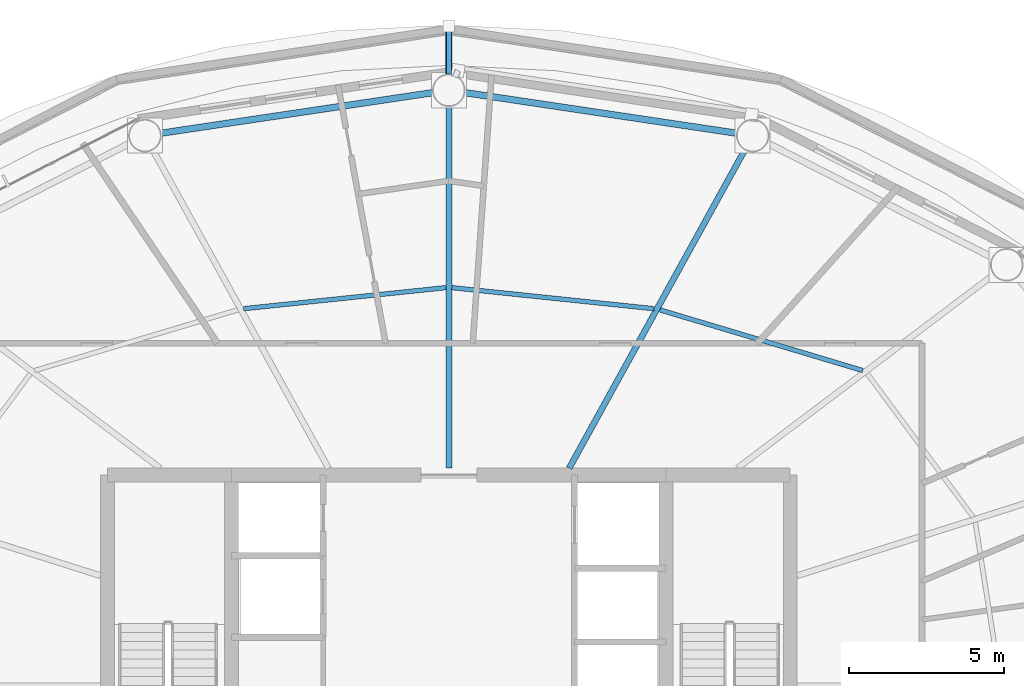
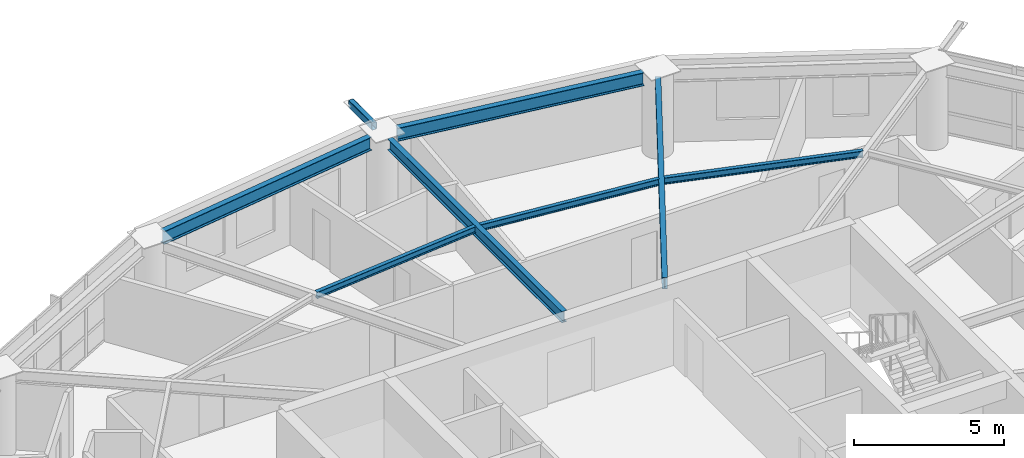
# One storey, part 10 of 22: 7 beams, 1 member.
"""IFC4 building model written with IfcOpenShell, lengths in metres."""

import ifcopenshell
import ifcopenshell.guid

model = None  # the IFC model being written
_history = None  # IfcOwnerHistory: only IFC2X3 demands one
_inside = {}  # id of a spatial element -> (the spatial element, [elements in it])
_under = {}  # id of a project, library or spatial element -> (it, [spatial elements below it])
_declared = {}  # id of a project -> (the project, [libraries it declares])
_typed = {}  # id of a type object -> (the type object, [elements of that type])
_made_of = {}  # id of a material, layer set ... -> (it, [elements and type objects made of it])


def new_model(schema):
    """Start an empty IFC model of exactly this schema.

    Asked for "IFC4X3", IfcOpenShell would pick the latest addendum, in which some entities
    have other attributes; the version numbers below select the first issue.
    IFC2X3 requires an IfcOwnerHistory on every rooted entity: one is made here for all.
    """
    global model, _history
    if schema == "IFC4X3":
        model = ifcopenshell.file(schema_version=(4, 3, 0, 0))
    else:
        model = ifcopenshell.file(schema=schema)
    _inside.clear()
    _under.clear()
    _declared.clear()
    _typed.clear()
    _made_of.clear()
    _history = None
    if model.schema == "IFC2X3":
        org = make("IfcOrganization", Name="unknown")
        user = make(
            "IfcPersonAndOrganization",
            ThePerson=make("IfcPerson", FamilyName="unknown"),
            TheOrganization=org,
        )
        app = make(
            "IfcApplication",
            ApplicationDeveloper=org,
            Version="unknown",
            ApplicationFullName="unknown",
            ApplicationIdentifier="unknown",
        )
        _history = make(
            "IfcOwnerHistory",
            OwningUser=user,
            OwningApplication=app,
            ChangeAction="ADDED",
            CreationDate=0,
        )
    return model


def make(cls, **values):
    """One entity of the class cls with the attributes given. An attribute that is None is left unset."""
    return model.create_entity(
        cls, **{name: value for name, value in values.items() if value is not None}
    )


def rooted(cls, **values):
    """An entity with a GlobalId (a new one), such as an element, a storey or a relation."""
    return make(cls, GlobalId=ifcopenshell.guid.new(), OwnerHistory=_history, **values)


def si_unit(unit_type, name, prefix=None):
    """IfcSIUnit, for example si_unit("LENGTHUNIT", "METRE", prefix="MILLI")."""
    return make("IfcSIUnit", UnitType=unit_type, Prefix=prefix, Name=name)


def assignment(units):
    """IfcUnitAssignment: the units of a project."""
    return None if units is None else make("IfcUnitAssignment", Units=units)


def point(xyz):
    """IfcCartesianPoint."""
    return None if xyz is None else make("IfcCartesianPoint", Coordinates=xyz)


def direction(xyz):
    """IfcDirection."""
    return None if xyz is None else make("IfcDirection", DirectionRatios=xyz)


def frame(location, z_axis=None, x_axis=None):
    """IfcAxis2Placement3D, a coordinate frame: its origin and axes. An axis left out is left unset."""
    return make(
        "IfcAxis2Placement3D",
        Location=point(location),
        Axis=direction(z_axis),
        RefDirection=direction(x_axis),
    )


def frame_2d(location, x_axis=None):
    """IfcAxis2Placement2D, a coordinate frame in the plane: its origin and x axis."""
    return make(
        "IfcAxis2Placement2D", Location=point(location), RefDirection=direction(x_axis)
    )


def origin():
    """The frame at (0, 0, 0) with its axes left unset."""
    return frame((0.0, 0.0, 0.0))


def origin_2d():
    """The frame at (0, 0) in the plane with its x axis left unset."""
    return frame_2d((0.0, 0.0))


def place(relative_to, where):
    """IfcLocalPlacement: puts the frame where relative to a parent placement (None: the world)."""
    return make(
        "IfcLocalPlacement", PlacementRelTo=relative_to, RelativePlacement=where
    )


def context(
    kind, dimensions, precision=None, world=None, true_north=None, identifier=None
):
    """IfcGeometricRepresentationContext, for example the 3D "Model" context."""
    return make(
        "IfcGeometricRepresentationContext",
        ContextIdentifier=identifier,
        ContextType=kind,
        CoordinateSpaceDimension=dimensions,
        Precision=precision,
        WorldCoordinateSystem=world,
        TrueNorth=true_north,
    )


def subcontext(parent, identifier, kind, view, scale=None):
    """IfcGeometricRepresentationSubContext, for example "Body" below "Model"."""
    return make(
        "IfcGeometricRepresentationSubContext",
        ContextIdentifier=identifier,
        ContextType=kind,
        ParentContext=parent,
        TargetScale=scale,
        TargetView=view,
    )


def project(units=None, contexts=None):
    """IfcProject with its units and contexts."""
    return rooted(
        "IfcProject",
        Name="project",
        RepresentationContexts=contexts,
        UnitsInContext=assignment(units),
    )


def spatial(cls, under=None, at=None, **own):
    """A site, building, storey or space (cls), placed at a placement, below another one or the project."""
    s = rooted(cls, ObjectPlacement=at, **own)
    if under is not None:
        _under.setdefault(under.id(), (under, []))[1].append(s)
    return s


def profile(cls, at=None, kind="AREA", **sizes):
    """A parametric profile (cls). Its sizes go by their IFC names, for example OverallWidth=200.0."""
    return make(cls, ProfileType=kind, Position=at, **sizes)


def hollow_rectangle(**sizes):
    """IfcRectangleHollowProfileDef."""
    return profile("IfcRectangleHollowProfileDef", **sizes)


def i_section(**sizes):
    """IfcIShapeProfileDef."""
    return profile("IfcIShapeProfileDef", **sizes)


def extrude(swept, where, along, depth):
    """IfcExtrudedAreaSolid: the profile swept, set in the frame where, extruded along a direction by depth."""
    return make(
        "IfcExtrudedAreaSolid",
        SweptArea=swept,
        Position=where,
        ExtrudedDirection=direction(along),
        Depth=depth,
    )


def shape(context_of_items, identifier, shape_type, items):
    """IfcShapeRepresentation: the items that make up one representation, for example the "Body"."""
    return make(
        "IfcShapeRepresentation",
        ContextOfItems=context_of_items,
        RepresentationIdentifier=identifier,
        RepresentationType=shape_type,
        Items=items,
    )


def material(Name=None, Category=None):
    """IfcMaterial."""
    return make("IfcMaterial", Name=Name, Category=Category)


def material_profile(
    of_material, cross_section, Name=None, Category=None, Priority=None
):
    """IfcMaterialProfile: a cross section and its material."""
    return make(
        "IfcMaterialProfile",
        Name=Name,
        Material=of_material,
        Profile=cross_section,
        Priority=Priority,
        Category=Category,
    )


def profile_set(profiles, Name=None, composite=None):
    """IfcMaterialProfileSet."""
    return make(
        "IfcMaterialProfileSet",
        Name=Name,
        MaterialProfiles=profiles,
        CompositeProfile=composite,
    )


def made_of(thing, what):
    """Note that an element or type object is made of a material, layer set ...; save() writes the relation."""
    if what is not None:
        _made_of.setdefault(what.id(), (what, []))[1].append(thing)
    return thing


def type_object(cls, material=None, **own):
    """A type object (cls), such as IfcWallType, which elements share."""
    return made_of(rooted(cls, **own), material)


def element(
    cls,
    number,
    at=None,
    inside=None,
    cuts=None,
    type_object=None,
    material=None,
    context=None,
    identifier="Body",
    shape_type=None,
    held_by="IfcProductDefinitionShape",
    body=None,
    shapes=None,
    **own,
):
    """One element of the class cls, such as IfcWall. Its Tag is "e" and its number.

    at: its placement. inside: the storey or other place that contains it. cuts: it is an
    opening in that element (IfcRelVoidsElement). A single representation is given by context,
    identifier, shape_type and body (its items); several are given by shapes. held_by: the class
    of the entity that holds the representations. save() writes the other relations.
    """
    e = rooted(cls, Tag="e%d" % number, ObjectPlacement=at, **own)
    if body is not None:
        shapes = [shape(context, identifier, shape_type, body)]
    if shapes is not None:
        e.Representation = make(held_by, Representations=shapes)
    if inside is not None:
        _inside.setdefault(inside.id(), (inside, []))[1].append(e)
    if cuts is not None:
        rooted(
            "IfcRelVoidsElement", RelatingBuildingElement=cuts, RelatedOpeningElement=e
        )
    if type_object is not None:
        _typed.setdefault(type_object.id(), (type_object, []))[1].append(e)
    return made_of(e, material)


def aggregate(whole, parts):
    """IfcRelAggregates: a whole, such as a stair, and the parts it consists of."""
    return rooted("IfcRelAggregates", RelatingObject=whole, RelatedObjects=parts)


def save(model, path):
    """Write the relations noted so far, then the file.

    IfcRelAggregates (storeys below a building ...), IfcRelContainedInSpatialStructure (elements
    in a storey), IfcRelDefinesByType, IfcRelAssociatesMaterial and IfcRelDeclares: one each for
    every whole, place, type object, material and project.
    """
    for whole, parts in _under.values():
        aggregate(whole, parts)
    for where, things in _inside.values():
        rooted(
            "IfcRelContainedInSpatialStructure",
            RelatedElements=things,
            RelatingStructure=where,
        )
    for kind, things in _typed.values():
        rooted("IfcRelDefinesByType", RelatedObjects=things, RelatingType=kind)
    for what, things in _made_of.values():
        rooted("IfcRelAssociatesMaterial", RelatedObjects=things, RelatingMaterial=what)
    for by, libraries in _declared.values():
        rooted("IfcRelDeclares", RelatingContext=by, RelatedDefinitions=libraries)
    model.write(path)


model = new_model("IFC4")

# Units and contexts
model_context = context("Model", 3, precision=1e-05, world=origin(), true_north=direction((0.0, 1.0)))
body_context = subcontext(model_context, "Body", "Model", "MODEL_VIEW")
ifc_project = project(units=[si_unit("LENGTHUNIT", "METRE"), si_unit("AREAUNIT", "SQUARE_METRE"), si_unit("VOLUMEUNIT", "CUBIC_METRE"), si_unit("PLANEANGLEUNIT", "RADIAN"), si_unit("MASSUNIT", "GRAM", prefix="KILO")], contexts=[model_context])

# Site, building, storey
site_placement = place(None, origin())
site = spatial("IfcSite", under=ifc_project, at=site_placement, CompositionType="ELEMENT")
building_placement = place(site_placement, origin())
building = spatial("IfcBuilding", under=site, at=building_placement, Name="Sarneth Arch Tower", CompositionType="ELEMENT")
storey_placement = place(building_placement, frame((0.0, 0.0, 206.39990234375)))
storey = spatial("IfcBuildingStorey", under=building, at=storey_placement, Name="L52", CompositionType="ELEMENT", Elevation=206.39990234375)

# Beams
ifc_material_1 = material(Name="Steel S355", Category="steel")
ifc_material_profile_1 = material_profile(ifc_material_1, i_section(OverallWidth=0.14794921875, OverallDepth=0.26611328125, WebThickness=0.007568359375, FlangeThickness=0.012939453125, FilletRadius=0.012939453125, at=origin_2d()), Name="W250x44.8")
ifc_profile_set_1 = profile_set([ifc_material_profile_1], Name="Steel S355")
beam_type_1 = type_object("IfcBeamType", Name="BM-JOIST-250", PredefinedType="JOIST", material=ifc_profile_set_1)
beam_1_placement = place(storey_placement, frame((61.336669921875, 52.169921875, 3.22705078125), z_axis=(-0.958092748216, 0.286458174636, 0.0), x_axis=(-0.286458174636, -0.958092748216, 0.0)))
element("IfcBeam", 1, at=beam_1_placement, inside=storey, type_object=beam_type_1, Name="L52 Secondary floor joist 03", PredefinedType="JOIST", context=body_context, shape_type="SweptSolid", body=[
    extrude(i_section(OverallWidth=0.14794921875, OverallDepth=0.26611328125, WebThickness=0.007568359375, FlangeThickness=0.012939453125, FilletRadius=0.012939453125, at=origin_2d()), origin(), (0.0, 0.0, 1.0), 6.8232421875),
])
for number, where, z_axis, x_axis, name in (
    (2, (54.61181640625, 54.161865234375, 3.22705078125), (-0.994627285361, 0.103520834691, 0.0), (-0.103520834691, -0.994627285361, 0.0), "L52 Secondary floor joist 04"),
    (3, (47.904541015625, 54.840087890625, 3.22705078125), (-0.994627285361, -0.103520834691, 0.0), (0.103520834691, -0.994627285361, 0.0), "L52 Secondary floor joist 05"),
):
    element("IfcBeam", number, at=place(storey_placement, frame(where, z_axis=z_axis, x_axis=x_axis)), inside=storey, type_object=beam_type_1, Name=name, PredefinedType="JOIST", context=body_context, shape_type="SweptSolid", body=[
        extrude(i_section(OverallWidth=0.14794921875, OverallDepth=0.26611328125, WebThickness=0.007568359375, FlangeThickness=0.012939453125, FilletRadius=0.012939453125, at=origin_2d()), origin(), (0.0, 0.0, 1.0), 6.551513671875),
    ])
ifc_material_2 = material(Name="Steel S355", Category="steel")
ifc_material_profile_2 = material_profile(ifc_material_2, i_section(OverallWidth=0.19189453125, OverallDepth=0.462890625, WebThickness=0.010498046875, FlangeThickness=0.017578125, FilletRadius=0.01806640625, at=origin_2d()), Name="W460x89")
ifc_profile_set_2 = profile_set([ifc_material_profile_2], Name="Steel S355")
beam_type_2 = type_object("IfcBeamType", Name="BM-RAD-460B", PredefinedType="BEAM", material=ifc_profile_set_2)
beam_2_placement = place(storey_placement, frame((51.87744140625, 49.02490234375, 3.128662109375), z_axis=(0.483230528767, 0.875493150212, 0.0), x_axis=(-0.875493150212, 0.483230528767, 0.0)))
element("IfcBeam", 4, at=beam_2_placement, inside=storey, type_object=beam_type_2, Name="L52 Radial floor girder 04", PredefinedType="BEAM", context=body_context, shape_type="SweptSolid", body=[
    extrude(i_section(OverallWidth=0.19189453125, OverallDepth=0.462890625, WebThickness=0.010498046875, FlangeThickness=0.017578125, FilletRadius=0.01806640625, at=origin_2d()), origin(), (0.0, 0.0, 1.0), 11.712158203125),
])
beam_3_placement = place(storey_placement, frame((48.0, 49.02490234375, 3.128662109375), z_axis=(0.0, 1.0, 0.0), x_axis=(-1.0, 0.0, 0.0)))
element("IfcBeam", 5, at=beam_3_placement, inside=storey, type_object=beam_type_2, Name="L52 Radial floor girder 05", PredefinedType="BEAM", context=body_context, shape_type="SweptSolid", body=[
    extrude(i_section(OverallWidth=0.19189453125, OverallDepth=0.462890625, WebThickness=0.010498046875, FlangeThickness=0.017578125, FilletRadius=0.01806640625, at=origin_2d()), origin(), (0.0, 0.0, 1.0), 11.650146484375),
])
ifc_material_3 = material(Name="Steel S355", Category="steel")
ifc_material_profile_3 = material_profile(ifc_material_3, i_section(OverallWidth=0.2109375, OverallDepth=0.5390625, WebThickness=0.01171875, FlangeThickness=0.018798828125, FilletRadius=0.01806640625, at=origin_2d()), Name="W530x109")
ifc_profile_set_3 = profile_set([ifc_material_profile_3], Name="Steel S355")
beam_type_3 = type_object("IfcBeamType", Name="BM-RAD-530B", PredefinedType="BEAM", material=ifc_profile_set_3)
for number, where, z_axis, x_axis, name in (
    (6, (57.271484375, 59.81591796875, 3.090576171875), (-0.989038715098, 0.147656425652, 0.0), (-0.147656425652, -0.989038715098, 0.0), "L52 Perimeter spandrel beam 04"),
    (7, (47.480712890625, 61.12255859375, 3.090576171875), (-0.989038715098, -0.147656425652, 0.0), (0.147656425652, -0.989038715098, 0.0), "L52 Perimeter spandrel beam 05"),
):
    element("IfcBeam", number, at=place(storey_placement, frame(where, z_axis=z_axis, x_axis=x_axis)), inside=storey, type_object=beam_type_3, Name=name, PredefinedType="BEAM", context=body_context, shape_type="SweptSolid", body=[
        extrude(i_section(OverallWidth=0.2109375, OverallDepth=0.5390625, WebThickness=0.01171875, FlangeThickness=0.018798828125, FilletRadius=0.01806640625, at=origin_2d()), origin(), (0.0, 0.0, 1.0), 8.84912109375),
    ])

# Member
ifc_material_4 = material(Name="Steel S355", Category="steel")
ifc_material_profile_4 = material_profile(ifc_material_4, hollow_rectangle(XDim=0.199951171875, YDim=0.300048828125, WallThickness=0.012451171875, InnerFilletRadius=0.018798828125, OuterFilletRadius=0.03125, at=origin_2d()), Name="RHS300x200x12.5")
ifc_profile_set_4 = profile_set([ifc_material_profile_4], Name="Steel S355")
member_type = type_object("IfcMemberType", Name="MEM-CANT-STRUT", PredefinedType="STRUT", material=ifc_profile_set_4)
member_placement = place(storey_placement, frame((48.0, 61.72509765625, 3.2001953125), z_axis=(0.0, 1.0, 0.0), x_axis=(-1.0, 0.0, 0.0)))
element("IfcMember", 8, at=member_placement, inside=storey, type_object=member_type, Name="L52 Balcony cantilever bracket 05", PredefinedType="STRUT", context=body_context, shape_type="SweptSolid", body=[
    extrude(hollow_rectangle(XDim=0.199951171875, YDim=0.300048828125, WallThickness=0.012451171875, InnerFilletRadius=0.018798828125, OuterFilletRadius=0.03125, at=origin_2d()), origin(), (0.0, 0.0, 1.0), 1.548583984375),
])

save(model, "model.ifc")
